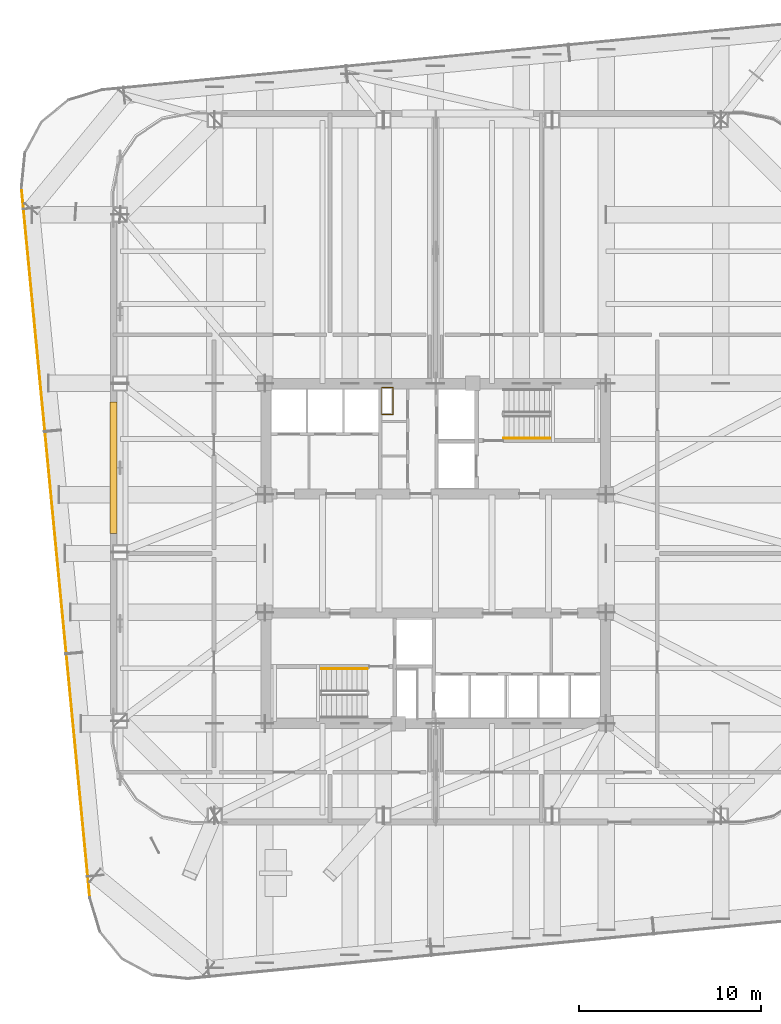
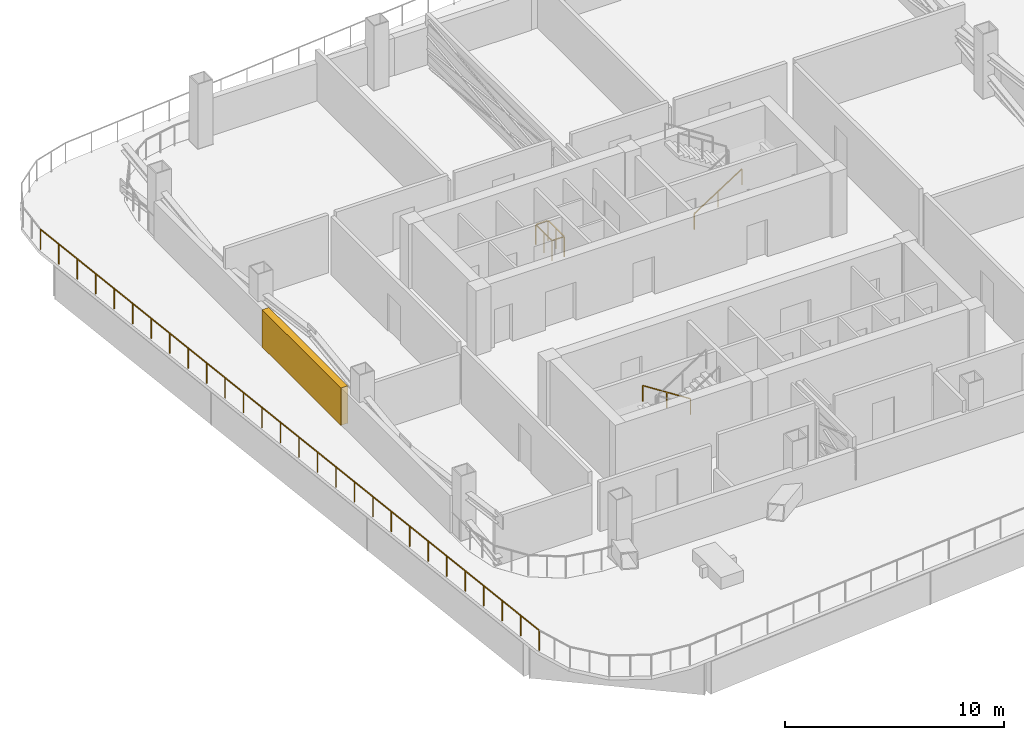
# One storey, part 13 of 15: 4 railings, 1 shading device.
"""IFC4 building model written with IfcOpenShell, lengths in metres."""

from ifc_helpers import new_model, si_unit, direction, frame, origin, origin_2d, place, context, subcontext, project, spatial, rectangle, extrude, material, type_object, element, save


model = new_model("IFC4")

# Units and contexts
model_context = context("Model", 3, precision=1e-05, world=origin(), true_north=direction((0.0, 1.0)))
body_context = subcontext(model_context, "Body", "Model", "MODEL_VIEW")
ifc_project = project(units=[si_unit("LENGTHUNIT", "METRE"), si_unit("AREAUNIT", "SQUARE_METRE"), si_unit("VOLUMEUNIT", "CUBIC_METRE"), si_unit("PLANEANGLEUNIT", "RADIAN"), si_unit("MASSUNIT", "GRAM", prefix="KILO")], contexts=[model_context])

# Site, building, storey
site_placement = place(None, origin())
site = spatial("IfcSite", under=ifc_project, at=site_placement, CompositionType="ELEMENT")
building_placement = place(site_placement, origin())
building = spatial("IfcBuilding", under=site, at=building_placement, Name="Qhalaya Broadcast Tower", CompositionType="ELEMENT")
storey_placement = place(building_placement, frame((0.0, 0.0, 101.25)))
storey = spatial("IfcBuildingStorey", under=building, at=storey_placement, Name="L29", CompositionType="ELEMENT", Elevation=101.25)

# Shading device
ifc_material_1 = material(Name="Fired Architectural Terracotta", Category="masonry")
shading_device_type = type_object("IfcShadingDeviceType", Name="Plant & Turbine-Slot Acoustic Louvre Screen LVS-01", PredefinedType="USERDEFINED", material=ifc_material_1)
shading_device_placement = place(storey_placement, frame((-17.68994140625, 5.31005859375, 0.0), z_axis=(0.0, 0.0, 1.0), x_axis=(0.0, 1.0, 0.0)))
element("IfcShadingDevice", 1, at=shading_device_placement, inside=storey, type_object=shading_device_type, Name="L29 Plant Acoustic Louvre Screen W", ObjectType="LOUVRE", PredefinedType="USERDEFINED", context=body_context, shape_type="SweptSolid", body=[
    extrude(rectangle(XDim=7.199951171875, YDim=0.360107421875, at=origin_2d()), origin(), (0.0, 0.0, 1.0), 2.08203125),
])

# Railings
ifc_material_2 = material(Name="Powder-Coated Galvanised Steel", Category="steel")
railing_type_1 = type_object("IfcRailingType", Name="Stair Wall Handrail 900", PredefinedType="HANDRAIL", material=ifc_material_2)
railing_1_placement = place(storey_placement, frame((3.75, 6.929931640625, 0.179931640625)))
element("IfcRailing", 2, at=railing_1_placement, inside=storey, type_object=railing_type_1, Name="L29 ST-1 Stair Handrail 1", PredefinedType="HANDRAIL", context=body_context, shape_type="SweptSolid", body=[
    extrude(rectangle(XDim=0.048095703125, YDim=0.048095703125, at=origin_2d()), frame((0.0, 0.0, 0.8759765625), z_axis=(0.841162588446, 0.0, 0.540782303519), x_axis=(0.0, 1.0, 0.0)), (0.0, 0.0, 1.0), 2.995849609375),
    extrude(rectangle(XDim=0.0419921875, YDim=0.0419921875, at=origin_2d()), origin(), (0.0, 0.0, 1.0), 0.849853515625),
    extrude(rectangle(XDim=0.0419921875, YDim=0.0419921875, at=origin_2d()), frame((1.260009765625, 0.0, 0.81005859375)), (0.0, 0.0, 1.0), 0.849853515625),
    extrude(rectangle(XDim=0.0419921875, YDim=0.0419921875, at=origin_2d()), frame((2.52001953125, 0.0, 1.6201171875)), (0.0, 0.0, 1.0), 0.849853515625),
])
railing_2_placement = place(storey_placement, frame((-3.75, -5.72998046875, 0.179931640625)))
element("IfcRailing", 3, at=railing_2_placement, inside=storey, type_object=railing_type_1, Name="L29 ST-2 Stair Handrail 1", PredefinedType="HANDRAIL", context=body_context, shape_type="SweptSolid", body=[
    extrude(rectangle(XDim=0.048095703125, YDim=0.048095703125, at=origin_2d()), frame((0.0, 0.0, 0.8759765625), z_axis=(-0.841162588446, 0.0, 0.540782303519), x_axis=(0.0, -1.0, 0.0)), (0.0, 0.0, 1.0), 2.995849609375),
    extrude(rectangle(XDim=0.0419921875, YDim=0.0419921875, at=origin_2d()), origin(), (0.0, 0.0, 1.0), 0.849853515625),
    extrude(rectangle(XDim=0.0419921875, YDim=0.0419921875, at=origin_2d()), frame((-1.260009765625, 0.0, 0.81005859375)), (0.0, 0.0, 1.0), 0.849853515625),
    extrude(rectangle(XDim=0.0419921875, YDim=0.0419921875, at=origin_2d()), frame((-2.52001953125, 0.0, 1.6201171875)), (0.0, 0.0, 1.0), 0.849853515625),
])
railing_type_2 = type_object("IfcRailingType", Name="Stair Well & Landing Guardrail 1100", PredefinedType="GUARDRAIL", material=ifc_material_2)
railing_3_placement = place(storey_placement, frame((-2.340087890625, 8.239990234375, 0.0)))
element("IfcRailing", 4, at=railing_3_placement, inside=storey, type_object=railing_type_2, Name="L29 Service Riser Opening Safety Guard NRSR", PredefinedType="GUARDRAIL", context=body_context, shape_type="SweptSolid", body=[
    extrude(rectangle(XDim=0.048095703125, YDim=0.048095703125, at=origin_2d()), frame((0.0, 0.02880859375, 1.1259765625), z_axis=(0.0, 1.0, 0.0), x_axis=(-1.0, 0.0, 0.0)), (0.0, 0.0, 1.0), 1.42236328125),
    extrude(rectangle(XDim=0.048095703125, YDim=0.048095703125, at=origin_2d()), frame((-0.02880859375, 1.47998046875, 1.1259765625), z_axis=(-1.0, 0.0, 0.0), x_axis=(0.0, -1.0, 0.0)), (0.0, 0.0, 1.0), 0.582275390625),
    extrude(rectangle(XDim=0.048095703125, YDim=0.048095703125, at=origin_2d()), frame((-0.639892578125, 1.451171875, 1.1259765625), z_axis=(0.0, -1.0, 0.0), x_axis=(1.0, 0.0, 0.0)), (0.0, 0.0, 1.0), 1.42236328125),
    extrude(rectangle(XDim=0.048095703125, YDim=0.048095703125, at=origin_2d()), frame((-0.611083984375, 0.0, 1.1259765625), z_axis=(1.0, 0.0, 0.0), x_axis=(0.0, 1.0, 0.0)), (0.0, 0.0, 1.0), 0.582275390625),
    extrude(rectangle(XDim=0.0419921875, YDim=0.0419921875, at=origin_2d()), origin(), (0.0, 0.0, 1.0), 1.099853515625),
    extrude(rectangle(XDim=0.0419921875, YDim=0.0419921875, at=origin_2d()), frame((0.0, 0.739990234375, 0.0)), (0.0, 0.0, 1.0), 1.099853515625),
    extrude(rectangle(XDim=0.0419921875, YDim=0.0419921875, at=origin_2d()), frame((0.0, 1.47998046875, 0.0)), (0.0, 0.0, 1.0), 1.099853515625),
    extrude(rectangle(XDim=0.0419921875, YDim=0.0419921875, at=origin_2d()), frame((-0.639892578125, 1.47998046875, 0.0)), (0.0, 0.0, 1.0), 1.099853515625),
    extrude(rectangle(XDim=0.0419921875, YDim=0.0419921875, at=origin_2d()), frame((-0.639892578125, 0.739990234375, 0.0)), (0.0, 0.0, 1.0), 1.099853515625),
    extrude(rectangle(XDim=0.0419921875, YDim=0.0419921875, at=origin_2d()), frame((-0.639892578125, 0.0, 0.0)), (0.0, 0.0, 1.0), 1.099853515625),
])
railing_type_3 = type_object("IfcRailingType", Name="Terrace, Sky-Pool & Lookout Glass Balustrade 1150", PredefinedType="BALUSTRADE", material=ifc_material_2)
railing_4_placement = place(storey_placement, frame((-18.9892578125, -18.31201171875, 0.0)))
element("IfcRailing", 5, at=railing_4_placement, inside=storey, type_object=railing_type_3, Name="L29 Perimeter Safety Balustrade BAL-TER1-06", PredefinedType="BALUSTRADE", context=body_context, shape_type="SweptSolid", body=[
    extrude(rectangle(XDim=0.048095703125, YDim=0.048095703125, at=origin_2d()), frame((0.0, 0.0, 1.1259765625), z_axis=(-0.095844898501, 0.9953962806, 0.0), x_axis=(-0.9953962806, -0.095844898501, 0.0)), (0.0, 0.0, 1.0), 39.184326171875),
    extrude(rectangle(XDim=0.0419921875, YDim=0.0419921875, at=origin_2d()), origin(), (0.0, 0.0, 1.0), 1.099853515625),
    extrude(rectangle(XDim=0.0419921875, YDim=0.0419921875, at=origin_2d()), frame((-0.13916015625, 1.444580078125, 0.0)), (0.0, 0.0, 1.0), 1.099853515625),
    extrude(rectangle(XDim=0.0419921875, YDim=0.0419921875, at=origin_2d()), frame((-0.278076171875, 2.88916015625, 0.0)), (0.0, 0.0, 1.0), 1.099853515625),
    extrude(rectangle(XDim=0.0419921875, YDim=0.0419921875, at=origin_2d()), frame((-0.417236328125, 4.333740234375, 0.0)), (0.0, 0.0, 1.0), 1.099853515625),
    extrude(rectangle(XDim=0.0419921875, YDim=0.0419921875, at=origin_2d()), frame((-0.556396484375, 5.7783203125, 0.0)), (0.0, 0.0, 1.0), 1.099853515625),
    extrude(rectangle(XDim=0.0419921875, YDim=0.0419921875, at=origin_2d()), frame((-0.695556640625, 7.222900390625, 0.0)), (0.0, 0.0, 1.0), 1.099853515625),
    extrude(rectangle(XDim=0.0419921875, YDim=0.0419921875, at=origin_2d()), frame((-0.83447265625, 8.66748046875, 0.0)), (0.0, 0.0, 1.0), 1.099853515625),
    extrude(rectangle(XDim=0.0419921875, YDim=0.0419921875, at=origin_2d()), frame((-0.9736328125, 10.112060546875, 0.0)), (0.0, 0.0, 1.0), 1.099853515625),
    extrude(rectangle(XDim=0.0419921875, YDim=0.0419921875, at=origin_2d()), frame((-1.11279296875, 11.556640625, 0.0)), (0.0, 0.0, 1.0), 1.099853515625),
    extrude(rectangle(XDim=0.0419921875, YDim=0.0419921875, at=origin_2d()), frame((-1.251953125, 13.001220703125, 0.0)), (0.0, 0.0, 1.0), 1.099853515625),
    extrude(rectangle(XDim=0.0419921875, YDim=0.0419921875, at=origin_2d()), frame((-1.390869140625, 14.44580078125, 0.0)), (0.0, 0.0, 1.0), 1.099853515625),
    extrude(rectangle(XDim=0.0419921875, YDim=0.0419921875, at=origin_2d()), frame((-1.530029296875, 15.890380859375, 0.0)), (0.0, 0.0, 1.0), 1.099853515625),
    extrude(rectangle(XDim=0.0419921875, YDim=0.0419921875, at=origin_2d()), frame((-1.669189453125, 17.3349609375, 0.0)), (0.0, 0.0, 1.0), 1.099853515625),
    extrude(rectangle(XDim=0.0419921875, YDim=0.0419921875, at=origin_2d()), frame((-1.808349609375, 18.779541015625, 0.0)), (0.0, 0.0, 1.0), 1.099853515625),
    extrude(rectangle(XDim=0.0419921875, YDim=0.0419921875, at=origin_2d()), frame((-1.947265625, 20.224365234375, 0.0)), (0.0, 0.0, 1.0), 1.099853515625),
    extrude(rectangle(XDim=0.0419921875, YDim=0.0419921875, at=origin_2d()), frame((-2.08642578125, 21.6689453125, 0.0)), (0.0, 0.0, 1.0), 1.099853515625),
    extrude(rectangle(XDim=0.0419921875, YDim=0.0419921875, at=origin_2d()), frame((-2.2255859375, 23.113525390625, 0.0)), (0.0, 0.0, 1.0), 1.099853515625),
    extrude(rectangle(XDim=0.0419921875, YDim=0.0419921875, at=origin_2d()), frame((-2.36474609375, 24.55810546875, 0.0)), (0.0, 0.0, 1.0), 1.099853515625),
    extrude(rectangle(XDim=0.0419921875, YDim=0.0419921875, at=origin_2d()), frame((-2.503662109375, 26.002685546875, 0.0)), (0.0, 0.0, 1.0), 1.099853515625),
    extrude(rectangle(XDim=0.0419921875, YDim=0.0419921875, at=origin_2d()), frame((-2.642822265625, 27.447265625, 0.0)), (0.0, 0.0, 1.0), 1.099853515625),
    extrude(rectangle(XDim=0.0419921875, YDim=0.0419921875, at=origin_2d()), frame((-2.781982421875, 28.891845703125, 0.0)), (0.0, 0.0, 1.0), 1.099853515625),
    extrude(rectangle(XDim=0.0419921875, YDim=0.0419921875, at=origin_2d()), frame((-2.921142578125, 30.33642578125, 0.0)), (0.0, 0.0, 1.0), 1.099853515625),
    extrude(rectangle(XDim=0.0419921875, YDim=0.0419921875, at=origin_2d()), frame((-3.06005859375, 31.781005859375, 0.0)), (0.0, 0.0, 1.0), 1.099853515625),
    extrude(rectangle(XDim=0.0419921875, YDim=0.0419921875, at=origin_2d()), frame((-3.19921875, 33.2255859375, 0.0)), (0.0, 0.0, 1.0), 1.099853515625),
    extrude(rectangle(XDim=0.0419921875, YDim=0.0419921875, at=origin_2d()), frame((-3.33837890625, 34.670166015625, 0.0)), (0.0, 0.0, 1.0), 1.099853515625),
    extrude(rectangle(XDim=0.0419921875, YDim=0.0419921875, at=origin_2d()), frame((-3.4775390625, 36.11474609375, 0.0)), (0.0, 0.0, 1.0), 1.099853515625),
    extrude(rectangle(XDim=0.0419921875, YDim=0.0419921875, at=origin_2d()), frame((-3.616455078125, 37.559326171875, 0.0)), (0.0, 0.0, 1.0), 1.099853515625),
    extrude(rectangle(XDim=0.0419921875, YDim=0.0419921875, at=origin_2d()), frame((-3.755615234375, 39.00390625, 0.0)), (0.0, 0.0, 1.0), 1.099853515625),
])

save(model, "model.ifc")
